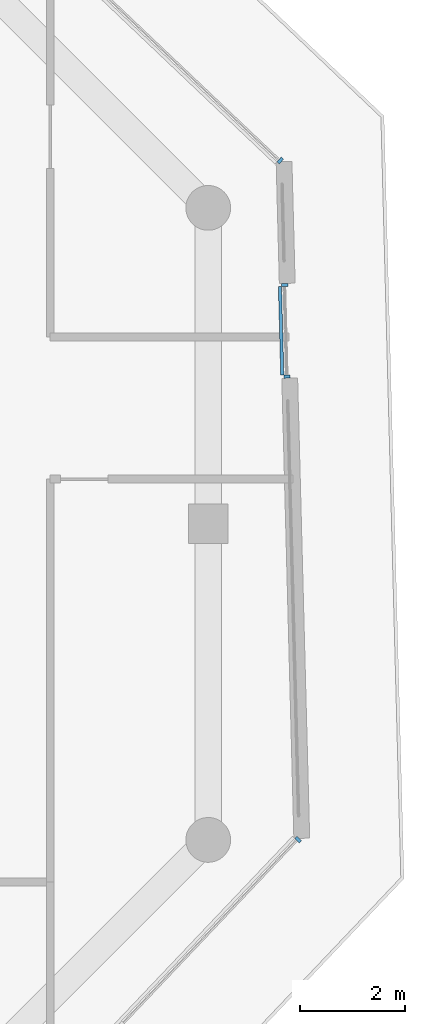
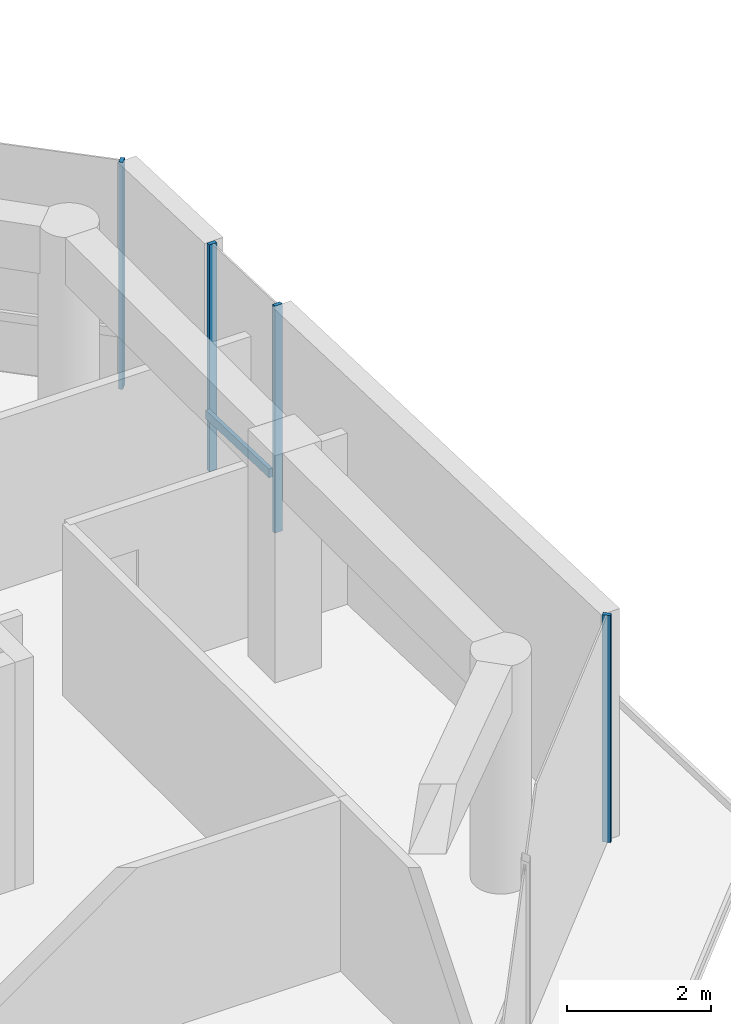
# One storey, part 6 of 20: 5 members, 3 elements without a shape of their own.
"""IFC4 building model written with IfcOpenShell, lengths in metres."""

from ifc_helpers import new_model, si_unit, direction, frame, origin, origin_2d, place, context, subcontext, project, spatial, rectangle, extrude, material, layer, layer_set, material_profile, profile_set, type_object, element, aggregate, save


model = new_model("IFC4")

# Units and contexts
model_context = context("Model", 3, precision=1e-05, world=origin(), true_north=direction((0.0, 1.0)))
body_context = subcontext(model_context, "Body", "Model", "MODEL_VIEW")
ifc_project = project(units=[si_unit("LENGTHUNIT", "METRE"), si_unit("AREAUNIT", "SQUARE_METRE"), si_unit("VOLUMEUNIT", "CUBIC_METRE"), si_unit("PLANEANGLEUNIT", "RADIAN"), si_unit("MASSUNIT", "GRAM", prefix="KILO")], contexts=[model_context])

# Site, building, storey
site_placement = place(None, origin())
site = spatial("IfcSite", under=ifc_project, at=site_placement, CompositionType="ELEMENT")
building_placement = place(site_placement, origin())
building = spatial("IfcBuilding", under=site, at=building_placement, Name="Welwitschia Terrace Campus", CompositionType="ELEMENT")
storey_placement = place(building_placement, frame((0.0, 0.0, 293.60009765625)))
storey = spatial("IfcBuildingStorey", under=building, at=storey_placement, Name="L65", CompositionType="ELEMENT", Elevation=293.60009765625)

# Curtain wall, member
ifc_material_1 = material(Name="Bronze anodised aluminium", Category="aluminium")
ifc_layer = layer(ifc_material_1, 0.1201171875)
ifc_layer_set = layer_set([ifc_layer], Name="Bronze anodised aluminium")
curtain_wall_type = type_object("IfcCurtainWallType", Name="Curtain wall CW2 tower 6000", PredefinedType="NOTDEFINED", material=ifc_layer_set)
curtain_wall_1_placement = place(storey_placement, origin())
curtain_wall_1 = element("IfcCurtainWall", 1, at=curtain_wall_1_placement, inside=storey, type_object=curtain_wall_type, Name="CW L65.5.0", PredefinedType="NOTDEFINED")
ifc_material_2 = material(Name="Bronze anodised aluminium", Category="aluminium")
ifc_material_profile_1 = material_profile(ifc_material_2, rectangle(XDim=0.1201171875, YDim=0.06005859375, at=origin_2d()))
ifc_profile_set_1 = profile_set([ifc_material_profile_1], Name="Bronze anodised aluminium")
member_type_1 = type_object("IfcMemberType", Name="Mullion 60x120", PredefinedType="MULLION", material=ifc_profile_set_1)
member_1_placement = place(storey_placement, frame((31.705322265625, 2.00732421875, 0.0), z_axis=(0.0, 0.0, 1.0), x_axis=(-0.725374371012, 0.688354575694, 0.0)))
member_1 = element("IfcMember", 2, at=member_1_placement, type_object=member_type_1, Name="Mullion L65.5.0.2", PredefinedType="MULLION", context=body_context, shape_type="SweptSolid", body=[
    extrude(rectangle(XDim=0.1201171875, YDim=0.06005859375, at=origin_2d()), origin(), (0.0, 0.0, 1.0), 3.849853515625),
])
aggregate(curtain_wall_1, [member_1])

# Curtain wall, members
curtain_wall_2_placement = place(storey_placement, origin())
curtain_wall_2 = element("IfcCurtainWall", 3, at=curtain_wall_2_placement, inside=storey, type_object=curtain_wall_type, Name="CW L65.6.S0", PredefinedType="NOTDEFINED")
member_2_placement = place(storey_placement, frame((31.49658203125, 10.7958984375, 0.0), z_axis=(0.0, 0.0, 1.0), x_axis=(-0.999657324976, -0.026176948308, 0.0)))
member_2 = element("IfcMember", 4, at=member_2_placement, type_object=member_type_1, Name="Mullion L65.6.S0.0", PredefinedType="MULLION", context=body_context, shape_type="SweptSolid", body=[
    extrude(rectangle(XDim=0.1201171875, YDim=0.06005859375, at=origin_2d()), origin(), (0.0, 0.0, 1.0), 3.849853515625),
])
member_3_placement = place(storey_placement, frame((31.450927734375, 12.535400390625, 0.0), z_axis=(0.0, 0.0, 1.0), x_axis=(-0.999657324976, -0.026176948308, 0.0)))
member_3 = element("IfcMember", 5, at=member_3_placement, type_object=member_type_1, Name="Mullion L65.6.S0.1", PredefinedType="MULLION", context=body_context, shape_type="SweptSolid", body=[
    extrude(rectangle(XDim=0.1201171875, YDim=0.06005859375, at=origin_2d()), origin(), (0.0, 0.0, 1.0), 3.849853515625),
])

# Curtain wall, member
curtain_wall_3_placement = place(storey_placement, origin())
curtain_wall_3 = element("IfcCurtainWall", 6, at=curtain_wall_3_placement, inside=storey, type_object=curtain_wall_type, Name="CW L65.7.0", PredefinedType="NOTDEFINED")
member_4_placement = place(storey_placement, frame((31.367919921875, 14.898681640625, 0.0), z_axis=(0.0, 0.0, 1.0), x_axis=(-0.688354575694, -0.725374371012, 0.0)))
member_4 = element("IfcMember", 7, at=member_4_placement, type_object=member_type_1, Name="Mullion L65.7.0.0", PredefinedType="MULLION", context=body_context, shape_type="SweptSolid", body=[
    extrude(rectangle(XDim=0.1201171875, YDim=0.06005859375, at=origin_2d()), origin(), (0.0, 0.0, 1.0), 3.849853515625),
])
aggregate(curtain_wall_3, [member_4])

# Member
ifc_material_3 = material(Name="Bronze anodised aluminium", Category="aluminium")
ifc_material_profile_2 = material_profile(ifc_material_3, rectangle(XDim=0.06005859375, YDim=0.14990234375, at=origin_2d()))
ifc_profile_set_2 = profile_set([ifc_material_profile_2], Name="Bronze anodised aluminium")
member_type_2 = type_object("IfcMemberType", Name="Transom 60x150", PredefinedType="USERDEFINED", material=ifc_profile_set_2)
member_5_placement = place(storey_placement, frame((31.40576171875, 10.82373046875, 1.0), z_axis=(-0.026157640568, 0.99965783038, 0.0), x_axis=(-0.99965783038, -0.026157640568, 0.0)))
member_5 = element("IfcMember", 8, at=member_5_placement, type_object=member_type_2, Name="Transom L65.6.S0", ObjectType="TRANSOM", PredefinedType="USERDEFINED", context=body_context, shape_type="SweptSolid", body=[
    extrude(rectangle(XDim=0.06005859375, YDim=0.14990234375, at=origin_2d()), origin(), (0.0, 0.0, 1.0), 1.679931640625),
])

aggregate(curtain_wall_2, [member_2, member_3, member_5])

save(model, "model.ifc")
